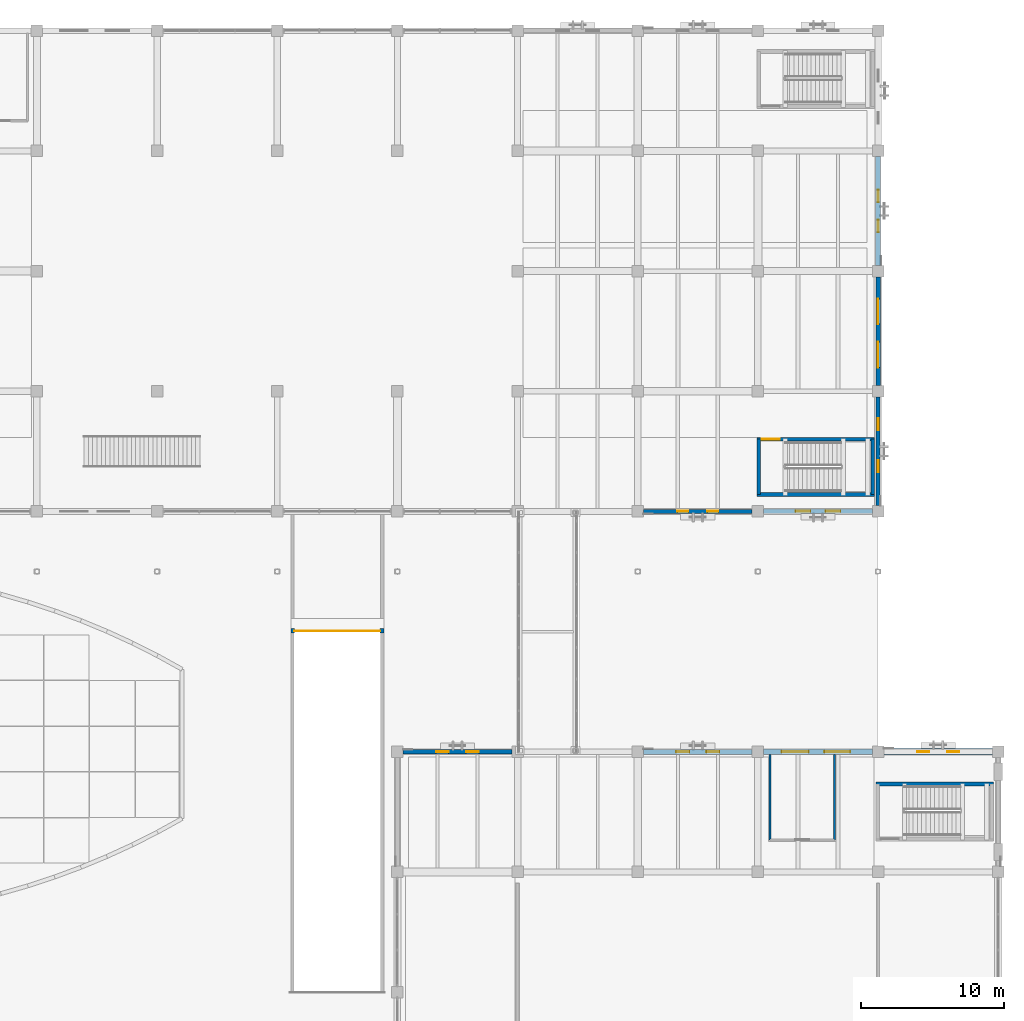
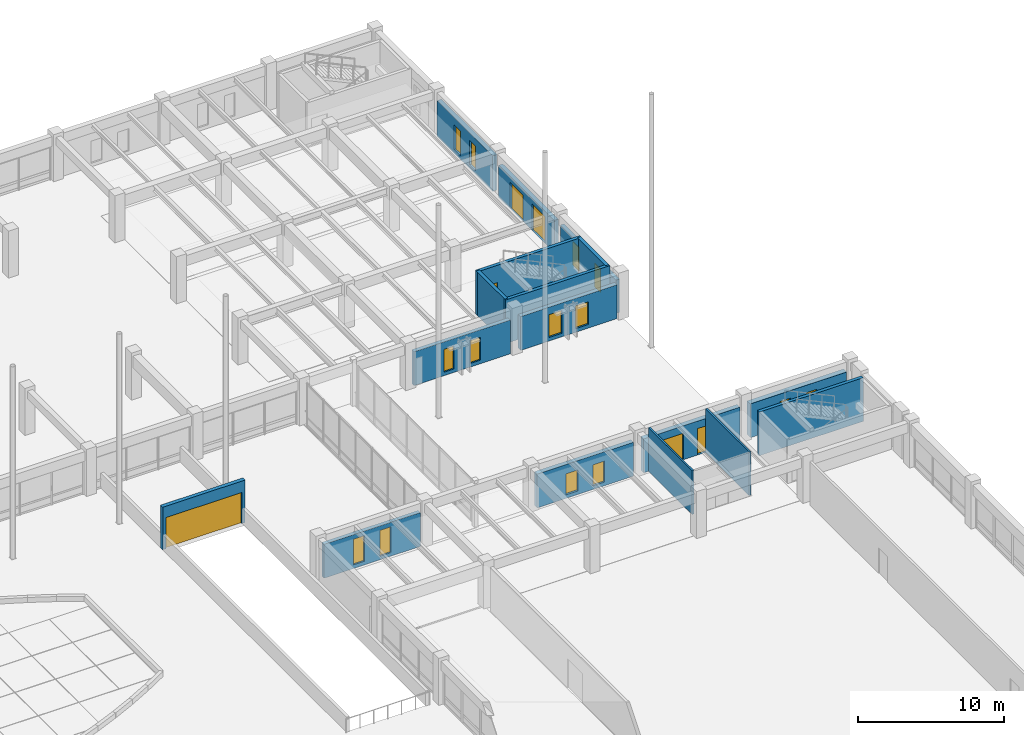
# One storey, part 98 of 135: 17 walls, 14 windows, 6 doors, 20 openings.
"""IFC4 building model written with IfcOpenShell, lengths in metres."""

from ifc_helpers import new_model, si_unit, direction, frame, frame_2d, origin, place, context, subcontext, project, spatial, rectangle, extrude, material, layer, layer_set, type_object, element, fill, save


model = new_model("IFC4")

# Units and contexts
model_context = context("Model", 3, precision=1e-05, world=origin(), true_north=direction((0.0, 1.0)))
body_context = subcontext(model_context, "Body", "Model", "MODEL_VIEW")
ifc_project = project(units=[si_unit("LENGTHUNIT", "METRE"), si_unit("AREAUNIT", "SQUARE_METRE"), si_unit("VOLUMEUNIT", "CUBIC_METRE"), si_unit("PLANEANGLEUNIT", "RADIAN"), si_unit("MASSUNIT", "GRAM", prefix="KILO")], contexts=[model_context])

# Site, building, storey
site_placement = place(None, origin())
site = spatial("IfcSite", under=ifc_project, at=site_placement, CompositionType="ELEMENT")
building_placement = place(site_placement, origin())
building = spatial("IfcBuilding", under=site, at=building_placement, Name="Cumbredor Promenade Congress Hotel", CompositionType="ELEMENT")
storey_placement = place(building_placement, origin())
storey = spatial("IfcBuildingStorey", under=building, at=storey_placement, Name="L00", CompositionType="ELEMENT", Elevation=0.0)

# Wall, openings, windows
ifc_material_1 = material(Name="Concrete C40/50", Category="concrete")
ifc_layer_1 = layer(ifc_material_1, 0.300048828125, Name="Concrete C40/50", Category="concrete")
ifc_layer_set_1 = layer_set([ifc_layer_1], Name="Concrete C40/50")
wall_type_1 = type_object("IfcWallType", Name="WL-EXT-300", PredefinedType="SOLIDWALL", material=ifc_layer_set_1)
wall_1_placement = place(storey_placement, frame((143.200927734375, 67.199951171875, 0.0), z_axis=(0.0, 0.0, 1.0), x_axis=(1.0, 0.0, 0.0)))
wall_1 = element("IfcWall", 1, at=wall_1_placement, inside=storey, type_object=wall_type_1, Name="L00 Grand Ballroom Pavilion North Envelope Wall 1", PredefinedType="SOLIDWALL", context=body_context, shape_type="SweptSolid", body=[
    extrude(rectangle(XDim=7.59814453125, YDim=0.300048828125, at=frame_2d((3.799072265625, 0.0))), origin(), (0.0, 0.0, 1.0), 2.824951171875),
])
opening_1_placement = place(wall_1_placement, frame((2.30908203125, 0.0, 0.300048828125)))
opening_1 = element("IfcOpeningElement", 2, at=opening_1_placement, cuts=wall_1, Name="Opening WN-59", PredefinedType="OPENING", context=body_context, shape_type="SweptSolid", body=[
    extrude(rectangle(XDim=0.8798828125, YDim=2.14990234375, at=frame_2d((0.43994140625, 1.074951171875))), frame((0.0, 0.16015625, 0.0), z_axis=(0.0, -1.0, 0.0), x_axis=(1.0, 0.0, 0.0)), (0.0, 0.0, 1.0), 0.320068359375),
])
opening_2_placement = place(wall_1_placement, frame((4.408935546875, 0.0, 0.300048828125)))
opening_2 = element("IfcOpeningElement", 3, at=opening_2_placement, cuts=wall_1, Name="Opening WN-59", PredefinedType="OPENING", context=body_context, shape_type="SweptSolid", body=[
    extrude(rectangle(XDim=0.8798828125, YDim=2.14990234375, at=frame_2d((0.43994140625, 1.074951171875))), frame((0.0, 0.16015625, 0.0), z_axis=(0.0, -1.0, 0.0), x_axis=(1.0, 0.0, 0.0)), (0.0, 0.0, 1.0), 0.320068359375),
])
ifc_material_2 = material(Name="Thermally broken anodized aluminium and low-E glass", Category="aluminium")
window_type_1 = type_object("IfcWindowType", Name="Vertical Slot Window WN-59 880x2150", PartitioningType="SINGLE_PANEL", PredefinedType="WINDOW", material=ifc_material_2)
window_1_placement = place(opening_1_placement, origin())
window_1 = element("IfcWindow", 4, at=window_1_placement, inside=storey, type_object=window_type_1, Name="L00 Vertical Slot Window 0015", OverallHeight=2.14990234375, OverallWidth=0.8798828125, PartitioningType="SINGLE_PANEL", PredefinedType="WINDOW", context=body_context, shape_type="SweptSolid", body=[
    extrude(rectangle(XDim=0.8798828125, YDim=2.14990234375, at=frame_2d((0.43994140625, 1.074951171875))), frame((0.0, 0.030029296875, 0.0), z_axis=(0.0, -1.0, 0.0), x_axis=(1.0, 0.0, 0.0)), (0.0, 0.0, 1.0), 0.06005859375),
])
fill(opening_1, window_1)
window_2_placement = place(opening_2_placement, origin())
window_2 = element("IfcWindow", 5, at=window_2_placement, inside=storey, type_object=window_type_1, Name="L00 Vertical Slot Window 0016", OverallHeight=2.14990234375, OverallWidth=0.8798828125, PartitioningType="SINGLE_PANEL", PredefinedType="WINDOW", context=body_context, shape_type="SweptSolid", body=[
    extrude(rectangle(XDim=0.8798828125, YDim=2.14990234375, at=frame_2d((0.43994140625, 1.074951171875))), frame((0.0, 0.030029296875, 0.0), z_axis=(0.0, -1.0, 0.0), x_axis=(1.0, 0.0, 0.0)), (0.0, 0.0, 1.0), 0.06005859375),
])
fill(opening_2, window_2)

wall_2_placement = place(storey_placement, frame((160.0009765625, 84.0, 0.0), z_axis=(0.0, 0.0, 1.0), x_axis=(1.0, 0.0, 0.0)))
wall_2 = element("IfcWall", 6, at=wall_2_placement, inside=storey, type_object=wall_type_1, Name="L00 Pre-Function and Breakout Meeting Forum South Envelope Wall 9", PredefinedType="SOLIDWALL", context=body_context, shape_type="SweptSolid", body=[
    extrude(rectangle(XDim=7.59814453125, YDim=0.300048828125, at=frame_2d((3.799072265625, 0.0))), origin(), (0.0, 0.0, 1.0), 2.824951171875),
])
opening_3_placement = place(wall_2_placement, frame((2.364013671875, 0.0, 0.300048828125)))
opening_3 = element("IfcOpeningElement", 7, at=opening_3_placement, cuts=wall_2, Name="Opening WN-66", PredefinedType="OPENING", context=body_context, shape_type="SweptSolid", body=[
    extrude(rectangle(XDim=0.77001953125, YDim=1.89990234375, at=frame_2d((0.385009765625, 0.949951171875))), frame((0.0, 0.16015625, 0.0), z_axis=(0.0, -1.0, 0.0), x_axis=(1.0, 0.0, 0.0)), (0.0, 0.0, 1.0), 0.320068359375),
])
opening_4_placement = place(wall_2_placement, frame((4.464111328125, 0.0, 0.300048828125)))
opening_4 = element("IfcOpeningElement", 8, at=opening_4_placement, cuts=wall_2, Name="Opening WN-66", PredefinedType="OPENING", context=body_context, shape_type="SweptSolid", body=[
    extrude(rectangle(XDim=0.77001953125, YDim=1.89990234375, at=frame_2d((0.385009765625, 0.949951171875))), frame((0.0, 0.16015625, 0.0), z_axis=(0.0, -1.0, 0.0), x_axis=(1.0, 0.0, 0.0)), (0.0, 0.0, 1.0), 0.320068359375),
])
window_type_2 = type_object("IfcWindowType", Name="Vertical Slot Window WN-66 770x1900", PartitioningType="SINGLE_PANEL", PredefinedType="WINDOW", material=ifc_material_2)
window_3_placement = place(opening_3_placement, origin())
window_3 = element("IfcWindow", 9, at=window_3_placement, inside=storey, type_object=window_type_2, Name="L00 Vertical Slot Window 0039", OverallHeight=1.89990234375, OverallWidth=0.77001953125, PartitioningType="SINGLE_PANEL", PredefinedType="WINDOW", context=body_context, shape_type="SweptSolid", body=[
    extrude(rectangle(XDim=0.77001953125, YDim=1.89990234375, at=frame_2d((0.385009765625, 0.949951171875))), frame((0.0, 0.030029296875, 0.0), z_axis=(0.0, -1.0, 0.0), x_axis=(1.0, 0.0, 0.0)), (0.0, 0.0, 1.0), 0.06005859375),
])
fill(opening_3, window_3)
window_4_placement = place(opening_4_placement, origin())
window_4 = element("IfcWindow", 10, at=window_4_placement, inside=storey, type_object=window_type_2, Name="L00 Vertical Slot Window 0040", OverallHeight=1.89990234375, OverallWidth=0.77001953125, PartitioningType="SINGLE_PANEL", PredefinedType="WINDOW", context=body_context, shape_type="SweptSolid", body=[
    extrude(rectangle(XDim=0.77001953125, YDim=1.89990234375, at=frame_2d((0.385009765625, 0.949951171875))), frame((0.0, 0.030029296875, 0.0), z_axis=(0.0, -1.0, 0.0), x_axis=(1.0, 0.0, 0.0)), (0.0, 0.0, 1.0), 0.06005859375),
])
fill(opening_4, window_4)

wall_3_placement = place(storey_placement, frame((176.39990234375, 84.40087890625, 0.0), z_axis=(0.0, 0.0, 1.0), x_axis=(0.0, 1.0, 0.0)))
wall_3 = element("IfcWall", 11, at=wall_3_placement, inside=storey, type_object=wall_type_1, Name="L00 Pre-Function and Breakout Meeting Forum East Envelope Wall 1", PredefinedType="SOLIDWALL", context=body_context, shape_type="SweptSolid", body=[
    extrude(rectangle(XDim=7.59814453125, YDim=0.300048828125, at=frame_2d((3.799072265625, 0.0))), origin(), (0.0, 0.0, 1.0), 2.77490234375),
])
opening_5_placement = place(wall_3_placement, frame((2.3291015625, 0.0, 0.300048828125)))
opening_5 = element("IfcOpeningElement", 12, at=opening_5_placement, cuts=wall_3, Name="Opening WN-51", PredefinedType="OPENING", context=body_context, shape_type="SweptSolid", body=[
    extrude(rectangle(XDim=0.840087890625, YDim=1.949951171875, at=frame_2d((0.419921875, 0.97509765625))), frame((0.0, 0.16015625, 0.0), z_axis=(0.0, -1.0, 0.0), x_axis=(1.0, 0.0, 0.0)), (0.0, 0.0, 1.0), 0.320068359375),
])
opening_6_placement = place(wall_3_placement, frame((5.279052734375, 0.0, 0.300048828125)))
opening_6 = element("IfcOpeningElement", 13, at=opening_6_placement, cuts=wall_3, Name="Opening WN-51", PredefinedType="OPENING", context=body_context, shape_type="SweptSolid", body=[
    extrude(rectangle(XDim=0.840087890625, YDim=1.949951171875, at=frame_2d((0.419921875, 0.97509765625))), frame((0.0, 0.16015625, 0.0), z_axis=(0.0, -1.0, 0.0), x_axis=(1.0, 0.0, 0.0)), (0.0, 0.0, 1.0), 0.320068359375),
])
window_type_3 = type_object("IfcWindowType", Name="Vertical Slot Window WN-51 840x1950", PartitioningType="SINGLE_PANEL", PredefinedType="WINDOW", material=ifc_material_2)
window_5_placement = place(opening_5_placement, origin())
window_5 = element("IfcWindow", 14, at=window_5_placement, inside=storey, type_object=window_type_3, Name="L00 Vertical Slot Window 0057", OverallHeight=1.949951171875, OverallWidth=0.840087890625, PartitioningType="SINGLE_PANEL", PredefinedType="WINDOW", context=body_context, shape_type="SweptSolid", body=[
    extrude(rectangle(XDim=0.840087890625, YDim=1.949951171875, at=frame_2d((0.419921875, 0.97509765625))), frame((0.0, 0.030029296875, 0.0), z_axis=(0.0, -1.0, 0.0), x_axis=(1.0, 0.0, 0.0)), (0.0, 0.0, 1.0), 0.06005859375),
])
fill(opening_5, window_5)
window_6_placement = place(opening_6_placement, origin())
window_6 = element("IfcWindow", 15, at=window_6_placement, inside=storey, type_object=window_type_3, Name="L00 Vertical Slot Window 0058", OverallHeight=1.949951171875, OverallWidth=0.840087890625, PartitioningType="SINGLE_PANEL", PredefinedType="WINDOW", context=body_context, shape_type="SweptSolid", body=[
    extrude(rectangle(XDim=0.840087890625, YDim=1.949951171875, at=frame_2d((0.419921875, 0.97509765625))), frame((0.0, 0.030029296875, 0.0), z_axis=(0.0, -1.0, 0.0), x_axis=(1.0, 0.0, 0.0)), (0.0, 0.0, 1.0), 0.06005859375),
])
fill(opening_6, window_6)

# Wall, opening, door
wall_4_placement = place(storey_placement, frame((135.35009765625, 75.64990234375, 0.0), z_axis=(0.0, 0.0, 1.0), x_axis=(1.0, 0.0, 0.0)))
wall_4 = element("IfcWall", 16, at=wall_4_placement, inside=storey, type_object=wall_type_1, Name="L00 Vehicle Ramp Portal Headwall", PredefinedType="SOLIDWALL", context=body_context, shape_type="SweptSolid", body=[
    extrude(rectangle(XDim=6.5, YDim=0.300048828125, at=frame_2d((3.25, 0.0))), origin(), (0.0, 0.0, 1.0), 3.550048828125),
])
opening_7_placement = place(wall_4_placement, frame((0.25, 0.0, 0.0)))
opening_7 = element("IfcOpeningElement", 17, at=opening_7_placement, cuts=wall_4, Name="Opening VG-01", PredefinedType="OPENING", context=body_context, shape_type="SweptSolid", body=[
    extrude(rectangle(XDim=6.0, YDim=2.60009765625, at=frame_2d((3.0, 1.300048828125))), frame((0.0, 0.16015625, 0.0), z_axis=(0.0, -1.0, 0.0), x_axis=(1.0, 0.0, 0.0)), (0.0, 0.0, 1.0), 0.320068359375),
])
ifc_material_3 = material(Name="Thermally broken anodized aluminium and laminated safety glass", Category="aluminium")
door_type_1 = type_object("IfcDoorType", Name="Top Portal Vehicle Gate VG-01 6000x2600", OperationType="ROLLINGUP", PredefinedType="GATE", material=ifc_material_3)
door_1_placement = place(opening_7_placement, origin())
door_1 = element("IfcDoor", 18, at=door_1_placement, inside=storey, type_object=door_type_1, Name="Top Portal Vehicle Gate VG-01", OperationType="ROLLINGUP", OverallHeight=2.60009765625, OverallWidth=6.0, PredefinedType="GATE", context=body_context, shape_type="SweptSolid", body=[
    extrude(rectangle(XDim=6.0, YDim=2.60009765625, at=frame_2d((3.0, 1.300048828125))), frame((0.0, 0.02490234375, 0.0), z_axis=(0.0, -1.0, 0.0), x_axis=(1.0, 0.0, 0.0)), (0.0, 0.0, 1.0), 0.050048828125),
])
fill(opening_7, door_1)

# Wall, openings, windows
ifc_layer_2 = layer(ifc_material_1, 0.324951171875, Name="Concrete C40/50", Category="concrete")
ifc_layer_set_2 = layer_set([ifc_layer_2], Name="Concrete C40/50")
wall_type_2 = type_object("IfcWallType", Name="WL-EXT-325", PredefinedType="SOLIDWALL", material=ifc_layer_set_2)
wall_5_placement = place(storey_placement, frame((168.40087890625, 84.0, 0.0), z_axis=(0.0, 0.0, 1.0), x_axis=(1.0, 0.0, 0.0)))
wall_5 = element("IfcWall", 19, at=wall_5_placement, inside=storey, type_object=wall_type_2, Name="L00 Pre-Function and Breakout Meeting Forum South Envelope Wall 10", PredefinedType="SOLIDWALL", context=body_context, shape_type="SweptSolid", body=[
    extrude(rectangle(XDim=7.59814453125, YDim=0.324951171875, at=frame_2d((3.799072265625, 0.0))), origin(), (0.0, 0.0, 1.0), 2.824951171875),
])
opening_8_placement = place(wall_5_placement, frame((2.239013671875, 0.0, 0.300048828125)))
opening_8 = element("IfcOpeningElement", 20, at=opening_8_placement, cuts=wall_5, Name="Opening WN-69", PredefinedType="OPENING", context=body_context, shape_type="SweptSolid", body=[
    extrude(rectangle(XDim=1.02001953125, YDim=1.89990234375, at=frame_2d((0.510009765625, 0.949951171875))), frame((0.0, 0.17236328125, 0.0), z_axis=(0.0, -1.0, 0.0), x_axis=(1.0, 0.0, 0.0)), (0.0, 0.0, 1.0), 0.344970703125),
])
opening_9_placement = place(wall_5_placement, frame((4.339111328125, 0.0, 0.300048828125)))
opening_9 = element("IfcOpeningElement", 21, at=opening_9_placement, cuts=wall_5, Name="Opening WN-69", PredefinedType="OPENING", context=body_context, shape_type="SweptSolid", body=[
    extrude(rectangle(XDim=1.02001953125, YDim=1.89990234375, at=frame_2d((0.510009765625, 0.949951171875))), frame((0.0, 0.17236328125, 0.0), z_axis=(0.0, -1.0, 0.0), x_axis=(1.0, 0.0, 0.0)), (0.0, 0.0, 1.0), 0.344970703125),
])
window_type_4 = type_object("IfcWindowType", Name="Vertical Slot Window WN-69 1020x1900", PartitioningType="SINGLE_PANEL", PredefinedType="WINDOW", material=ifc_material_2)
window_7_placement = place(opening_8_placement, origin())
window_7 = element("IfcWindow", 22, at=window_7_placement, inside=storey, type_object=window_type_4, Name="L00 Vertical Slot Window 0041", OverallHeight=1.89990234375, OverallWidth=1.02001953125, PartitioningType="SINGLE_PANEL", PredefinedType="WINDOW", context=body_context, shape_type="SweptSolid", body=[
    extrude(rectangle(XDim=1.02001953125, YDim=1.89990234375, at=frame_2d((0.510009765625, 0.949951171875))), frame((0.0, 0.030029296875, 0.0), z_axis=(0.0, -1.0, 0.0), x_axis=(1.0, 0.0, 0.0)), (0.0, 0.0, 1.0), 0.06005859375),
])
fill(opening_8, window_7)
window_8_placement = place(opening_9_placement, origin())
window_8 = element("IfcWindow", 23, at=window_8_placement, inside=storey, type_object=window_type_4, Name="L00 Vertical Slot Window 0042", OverallHeight=1.89990234375, OverallWidth=1.02001953125, PartitioningType="SINGLE_PANEL", PredefinedType="WINDOW", context=body_context, shape_type="SweptSolid", body=[
    extrude(rectangle(XDim=1.02001953125, YDim=1.89990234375, at=frame_2d((0.510009765625, 0.949951171875))), frame((0.0, 0.030029296875, 0.0), z_axis=(0.0, -1.0, 0.0), x_axis=(1.0, 0.0, 0.0)), (0.0, 0.0, 1.0), 0.06005859375),
])
fill(opening_9, window_8)

# Wall, openings, doors
wall_6_placement = place(storey_placement, frame((176.39990234375, 92.801025390625, 0.0), z_axis=(0.0, 0.0, 1.0), x_axis=(0.0, 1.0, 0.0)))
wall_6 = element("IfcWall", 24, at=wall_6_placement, inside=storey, type_object=wall_type_2, Name="L00 Pre-Function and Breakout Meeting Forum East Envelope Wall 2", PredefinedType="SOLIDWALL", context=body_context, shape_type="SweptSolid", body=[
    extrude(rectangle(XDim=7.597900390625, YDim=0.324951171875, at=frame_2d((3.798828125, 0.0))), origin(), (0.0, 0.0, 1.0), 2.675048828125),
])
opening_10_placement = place(wall_6_placement, frame((1.2490234375, 0.0, 0.0)))
opening_10 = element("IfcOpeningElement", 25, at=opening_10_placement, cuts=wall_6, Name="Opening EX-01", PredefinedType="OPENING", context=body_context, shape_type="SweptSolid", body=[
    extrude(rectangle(XDim=1.800048828125, YDim=2.199951171875, at=frame_2d((0.89990234375, 1.10009765625))), frame((0.0, 0.17236328125, 0.0), z_axis=(0.0, -1.0, 0.0), x_axis=(1.0, 0.0, 0.0)), (0.0, 0.0, 1.0), 0.344970703125),
])
opening_11_placement = place(wall_6_placement, frame((4.298095703125, 0.0, 0.0)))
opening_11 = element("IfcOpeningElement", 26, at=opening_11_placement, cuts=wall_6, Name="Opening EX-09", PredefinedType="OPENING", context=body_context, shape_type="SweptSolid", body=[
    extrude(rectangle(XDim=1.75, YDim=2.199951171875, at=frame_2d((0.875, 1.10009765625))), frame((0.0, 0.17236328125, 0.0), z_axis=(0.0, -1.0, 0.0), x_axis=(1.0, 0.0, 0.0)), (0.0, 0.0, 1.0), 0.344970703125),
])
door_type_2 = type_object("IfcDoorType", Name="EXT-DR-EXIT-1750x2200", OperationType="DOUBLE_DOOR_SINGLE_SWING", PredefinedType="DOOR", material=ifc_material_3)
door_2_placement = place(opening_11_placement, frame((1.75, 0.0, 0.0), z_axis=(0.0, 0.0, 1.0), x_axis=(-1.0, 0.0, 0.0)))
door_2 = element("IfcDoor", 27, at=door_2_placement, inside=storey, type_object=door_type_2, Name="L00 Pre-Function and Breakout Meeting Forum East Final Exit Door 24.2", OperationType="DOUBLE_DOOR_SINGLE_SWING", OverallHeight=2.199951171875, OverallWidth=1.75, PredefinedType="DOOR", context=body_context, shape_type="SweptSolid", body=[
    extrude(rectangle(XDim=1.75, YDim=2.199951171875, at=frame_2d((0.875, 1.10009765625))), frame((0.0, 0.02490234375, 0.0), z_axis=(0.0, -1.0, 0.0), x_axis=(1.0, 0.0, 0.0)), (0.0, 0.0, 1.0), 0.050048828125),
])
fill(opening_11, door_2)
door_type_3 = type_object("IfcDoorType", Name="EXT-DR-EXIT-1800x2200", OperationType="DOUBLE_DOOR_SINGLE_SWING", PredefinedType="DOOR", material=ifc_material_3)
door_3_placement = place(opening_10_placement, frame((1.800048828125, 0.0, 0.0), z_axis=(0.0, 0.0, 1.0), x_axis=(-1.0, 0.0, 0.0)))
door_3 = element("IfcDoor", 28, at=door_3_placement, inside=storey, type_object=door_type_3, Name="L00 Pre-Function and Breakout Meeting Forum East Final Exit Door 24.1", OperationType="DOUBLE_DOOR_SINGLE_SWING", OverallHeight=2.199951171875, OverallWidth=1.800048828125, PredefinedType="DOOR", context=body_context, shape_type="SweptSolid", body=[
    extrude(rectangle(XDim=1.800048828125, YDim=2.199951171875, at=frame_2d((0.89990234375, 1.10009765625))), frame((0.0, 0.02490234375, 0.0), z_axis=(0.0, -1.0, 0.0), x_axis=(1.0, 0.0, 0.0)), (0.0, 0.0, 1.0), 0.050048828125),
])
fill(opening_10, door_3)

# Wall, openings, windows
ifc_layer_3 = layer(ifc_material_1, 0.35009765625, Name="Concrete C40/50", Category="concrete")
ifc_layer_set_3 = layer_set([ifc_layer_3], Name="Concrete C40/50")
wall_type_3 = type_object("IfcWallType", Name="WL-EXT-350", PredefinedType="SOLIDWALL", material=ifc_layer_set_3)
wall_7_placement = place(storey_placement, frame((160.0009765625, 67.199951171875, 0.0), z_axis=(0.0, 0.0, 1.0), x_axis=(1.0, 0.0, 0.0)))
wall_7 = element("IfcWall", 29, at=wall_7_placement, inside=storey, type_object=wall_type_3, Name="L00 Grand Ballroom Pavilion North Envelope Wall 3", PredefinedType="SOLIDWALL", context=body_context, shape_type="SweptSolid", body=[
    extrude(rectangle(XDim=7.59814453125, YDim=0.35009765625, at=frame_2d((3.799072265625, 0.0))), origin(), (0.0, 0.0, 1.0), 2.824951171875),
])
opening_12_placement = place(wall_7_placement, frame((2.2890625, 0.0, 0.300048828125)))
opening_12 = element("IfcOpeningElement", 30, at=opening_12_placement, cuts=wall_7, Name="Opening WN-63", PredefinedType="OPENING", context=body_context, shape_type="SweptSolid", body=[
    extrude(rectangle(XDim=0.919921875, YDim=1.75, at=frame_2d((0.4599609375, 0.875))), frame((0.0, 0.18505859375, 0.0), z_axis=(0.0, -1.0, 0.0), x_axis=(1.0, 0.0, 0.0)), (0.0, 0.0, 1.0), 0.3701171875),
])
opening_13_placement = place(wall_7_placement, frame((4.388916015625, 0.0, 0.300048828125)))
opening_13 = element("IfcOpeningElement", 31, at=opening_13_placement, cuts=wall_7, Name="Opening WN-63", PredefinedType="OPENING", context=body_context, shape_type="SweptSolid", body=[
    extrude(rectangle(XDim=0.919921875, YDim=1.75, at=frame_2d((0.4599609375, 0.875))), frame((0.0, 0.18505859375, 0.0), z_axis=(0.0, -1.0, 0.0), x_axis=(1.0, 0.0, 0.0)), (0.0, 0.0, 1.0), 0.3701171875),
])
window_type_5 = type_object("IfcWindowType", Name="Vertical Slot Window WN-63 920x1750", PartitioningType="SINGLE_PANEL", PredefinedType="WINDOW", material=ifc_material_2)
window_9_placement = place(opening_12_placement, origin())
window_9 = element("IfcWindow", 32, at=window_9_placement, inside=storey, type_object=window_type_5, Name="L00 Vertical Slot Window 0017", OverallHeight=1.75, OverallWidth=0.919921875, PartitioningType="SINGLE_PANEL", PredefinedType="WINDOW", context=body_context, shape_type="SweptSolid", body=[
    extrude(rectangle(XDim=0.919921875, YDim=1.75, at=frame_2d((0.4599609375, 0.875))), frame((0.0, 0.030029296875, 0.0), z_axis=(0.0, -1.0, 0.0), x_axis=(1.0, 0.0, 0.0)), (0.0, 0.0, 1.0), 0.06005859375),
])
fill(opening_12, window_9)
window_10_placement = place(opening_13_placement, origin())
window_10 = element("IfcWindow", 33, at=window_10_placement, inside=storey, type_object=window_type_5, Name="L00 Vertical Slot Window 0018", OverallHeight=1.75, OverallWidth=0.919921875, PartitioningType="SINGLE_PANEL", PredefinedType="WINDOW", context=body_context, shape_type="SweptSolid", body=[
    extrude(rectangle(XDim=0.919921875, YDim=1.75, at=frame_2d((0.4599609375, 0.875))), frame((0.0, 0.030029296875, 0.0), z_axis=(0.0, -1.0, 0.0), x_axis=(1.0, 0.0, 0.0)), (0.0, 0.0, 1.0), 0.06005859375),
])
fill(opening_13, window_10)

wall_8_placement = place(storey_placement, frame((176.39990234375, 101.200927734375, 0.0), z_axis=(0.0, 0.0, 1.0), x_axis=(0.0, 1.0, 0.0)))
wall_8 = element("IfcWall", 34, at=wall_8_placement, inside=storey, type_object=wall_type_3, Name="L00 Pre-Function and Breakout Meeting Forum East Envelope Wall 3", PredefinedType="SOLIDWALL", context=body_context, shape_type="SweptSolid", body=[
    extrude(rectangle(XDim=7.59814453125, YDim=0.35009765625, at=frame_2d((3.799072265625, 0.0))), origin(), (0.0, 0.0, 1.0), 2.97509765625),
])
opening_14_placement = place(wall_8_placement, frame((2.319091796875, 0.0, 0.300048828125)))
opening_14 = element("IfcOpeningElement", 35, at=opening_14_placement, cuts=wall_8, Name="Opening WN-55", PredefinedType="OPENING", context=body_context, shape_type="SweptSolid", body=[
    extrude(rectangle(XDim=0.860107421875, YDim=2.050048828125, at=frame_2d((0.43017578125, 1.02490234375))), frame((0.0, 0.18505859375, 0.0), z_axis=(0.0, -1.0, 0.0), x_axis=(1.0, 0.0, 0.0)), (0.0, 0.0, 1.0), 0.3701171875),
])
opening_15_placement = place(wall_8_placement, frame((4.4189453125, 0.0, 0.300048828125)))
opening_15 = element("IfcOpeningElement", 36, at=opening_15_placement, cuts=wall_8, Name="Opening WN-55", PredefinedType="OPENING", context=body_context, shape_type="SweptSolid", body=[
    extrude(rectangle(XDim=0.860107421875, YDim=2.050048828125, at=frame_2d((0.43017578125, 1.02490234375))), frame((0.0, 0.18505859375, 0.0), z_axis=(0.0, -1.0, 0.0), x_axis=(1.0, 0.0, 0.0)), (0.0, 0.0, 1.0), 0.3701171875),
])
window_type_6 = type_object("IfcWindowType", Name="Vertical Slot Window WN-55 860x2050", PartitioningType="SINGLE_PANEL", PredefinedType="WINDOW", material=ifc_material_2)
window_11_placement = place(opening_14_placement, origin())
window_11 = element("IfcWindow", 37, at=window_11_placement, inside=storey, type_object=window_type_6, Name="L00 Vertical Slot Window 0059", OverallHeight=2.050048828125, OverallWidth=0.860107421875, PartitioningType="SINGLE_PANEL", PredefinedType="WINDOW", context=body_context, shape_type="SweptSolid", body=[
    extrude(rectangle(XDim=0.860107421875, YDim=2.050048828125, at=frame_2d((0.43017578125, 1.02490234375))), frame((0.0, 0.030029296875, 0.0), z_axis=(0.0, -1.0, 0.0), x_axis=(1.0, 0.0, 0.0)), (0.0, 0.0, 1.0), 0.06005859375),
])
fill(opening_14, window_11)
window_12_placement = place(opening_15_placement, origin())
window_12 = element("IfcWindow", 38, at=window_12_placement, inside=storey, type_object=window_type_6, Name="L00 Vertical Slot Window 0060", OverallHeight=2.050048828125, OverallWidth=0.860107421875, PartitioningType="SINGLE_PANEL", PredefinedType="WINDOW", context=body_context, shape_type="SweptSolid", body=[
    extrude(rectangle(XDim=0.860107421875, YDim=2.050048828125, at=frame_2d((0.43017578125, 1.02490234375))), frame((0.0, 0.030029296875, 0.0), z_axis=(0.0, -1.0, 0.0), x_axis=(1.0, 0.0, 0.0)), (0.0, 0.0, 1.0), 0.06005859375),
])
fill(opening_15, window_12)

# Wall, openings, doors
ifc_layer_4 = layer(ifc_material_1, 0.3798828125, Name="Concrete C40/50", Category="concrete")
ifc_layer_set_4 = layer_set([ifc_layer_4], Name="Concrete C40/50")
wall_type_4 = type_object("IfcWallType", Name="WL-EXT-380", PredefinedType="SOLIDWALL", material=ifc_layer_set_4)
wall_9_placement = place(storey_placement, frame((168.40087890625, 67.199951171875, 0.0), z_axis=(0.0, 0.0, 1.0), x_axis=(1.0, 0.0, 0.0)))
wall_9 = element("IfcWall", 39, at=wall_9_placement, inside=storey, type_object=wall_type_4, Name="L00 Grand Ballroom Pavilion North Envelope Wall 4", PredefinedType="SOLIDWALL", context=body_context, shape_type="SweptSolid", body=[
    extrude(rectangle(XDim=7.59814453125, YDim=0.3798828125, at=frame_2d((3.799072265625, 0.0))), origin(), (0.0, 0.0, 1.0), 2.824951171875),
])
opening_16_placement = place(wall_9_placement, frame((1.2490234375, 0.0, 0.0)))
opening_16 = element("IfcOpeningElement", 40, at=opening_16_placement, cuts=wall_9, Name="Opening EX-02", PredefinedType="OPENING", context=body_context, shape_type="SweptSolid", body=[
    extrude(rectangle(XDim=1.89990234375, YDim=2.199951171875, at=frame_2d((0.949951171875, 1.10009765625))), frame((0.0, 0.199951171875, 0.0), z_axis=(0.0, -1.0, 0.0), x_axis=(1.0, 0.0, 0.0)), (0.0, 0.0, 1.0), 0.39990234375),
])
opening_17_placement = place(wall_9_placement, frame((4.248046875, 0.0, 0.0)))
opening_17 = element("IfcOpeningElement", 41, at=opening_17_placement, cuts=wall_9, Name="Opening EX-01", PredefinedType="OPENING", context=body_context, shape_type="SweptSolid", body=[
    extrude(rectangle(XDim=1.800048828125, YDim=2.199951171875, at=frame_2d((0.89990234375, 1.10009765625))), frame((0.0, 0.199951171875, 0.0), z_axis=(0.0, -1.0, 0.0), x_axis=(1.0, 0.0, 0.0)), (0.0, 0.0, 1.0), 0.39990234375),
])
door_4_placement = place(opening_17_placement, origin())
door_4 = element("IfcDoor", 42, at=door_4_placement, inside=storey, type_object=door_type_3, Name="L00 Grand Ballroom Pavilion North Final Exit Door 09.2", OperationType="DOUBLE_DOOR_SINGLE_SWING", OverallHeight=2.199951171875, OverallWidth=1.800048828125, PredefinedType="DOOR", context=body_context, shape_type="SweptSolid", body=[
    extrude(rectangle(XDim=1.800048828125, YDim=2.199951171875, at=frame_2d((0.89990234375, 1.10009765625))), frame((0.0, 0.02490234375, 0.0), z_axis=(0.0, -1.0, 0.0), x_axis=(1.0, 0.0, 0.0)), (0.0, 0.0, 1.0), 0.050048828125),
])
fill(opening_17, door_4)
door_type_4 = type_object("IfcDoorType", Name="EXT-DR-EXIT-1900x2200", OperationType="DOUBLE_DOOR_SINGLE_SWING", PredefinedType="DOOR", material=ifc_material_3)
door_5_placement = place(opening_16_placement, origin())
door_5 = element("IfcDoor", 43, at=door_5_placement, inside=storey, type_object=door_type_4, Name="L00 Grand Ballroom Pavilion North Final Exit Door 09.1", OperationType="DOUBLE_DOOR_SINGLE_SWING", OverallHeight=2.199951171875, OverallWidth=1.89990234375, PredefinedType="DOOR", context=body_context, shape_type="SweptSolid", body=[
    extrude(rectangle(XDim=1.89990234375, YDim=2.199951171875, at=frame_2d((0.949951171875, 1.10009765625))), frame((0.0, 0.02490234375, 0.0), z_axis=(0.0, -1.0, 0.0), x_axis=(1.0, 0.0, 0.0)), (0.0, 0.0, 1.0), 0.050048828125),
])
fill(opening_16, door_5)

# Wall, openings, windows
ifc_layer_5 = layer(ifc_material_1, 0.425048828125, Name="Concrete C40/50", Category="concrete")
ifc_layer_set_5 = layer_set([ifc_layer_5], Name="Concrete C40/50")
wall_type_5 = type_object("IfcWallType", Name="WL-EXT-425", PredefinedType="SOLIDWALL", material=ifc_layer_set_5)
wall_10_placement = place(storey_placement, frame((176.801025390625, 67.199951171875, 0.0), z_axis=(0.0, 0.0, 1.0), x_axis=(1.0, 0.0, 0.0)))
wall_10 = element("IfcWall", 44, at=wall_10_placement, inside=storey, type_object=wall_type_5, Name="L00 Grand Ballroom Pavilion North Envelope Wall 5", PredefinedType="SOLIDWALL", context=body_context, shape_type="SweptSolid", body=[
    extrude(rectangle(XDim=7.597900390625, YDim=0.425048828125, at=frame_2d((3.798828125, 0.0))), origin(), (0.0, 0.0, 1.0), 2.824951171875),
])
opening_18_placement = place(wall_10_placement, frame((2.323974609375, 0.0, 0.300048828125)))
opening_18 = element("IfcOpeningElement", 45, at=opening_18_placement, cuts=wall_10, Name="Opening WN-67", PredefinedType="OPENING", context=body_context, shape_type="SweptSolid", body=[
    extrude(rectangle(XDim=0.85009765625, YDim=1.89990234375, at=frame_2d((0.425048828125, 0.949951171875))), frame((0.0, 0.22265625, 0.0), z_axis=(0.0, -1.0, 0.0), x_axis=(1.0, 0.0, 0.0)), (0.0, 0.0, 1.0), 0.445068359375),
])
opening_19_placement = place(wall_10_placement, frame((4.424072265625, 0.0, 0.300048828125)))
opening_19 = element("IfcOpeningElement", 46, at=opening_19_placement, cuts=wall_10, Name="Opening WN-67", PredefinedType="OPENING", context=body_context, shape_type="SweptSolid", body=[
    extrude(rectangle(XDim=0.85009765625, YDim=1.89990234375, at=frame_2d((0.425048828125, 0.949951171875))), frame((0.0, 0.22265625, 0.0), z_axis=(0.0, -1.0, 0.0), x_axis=(1.0, 0.0, 0.0)), (0.0, 0.0, 1.0), 0.445068359375),
])
window_type_7 = type_object("IfcWindowType", Name="Vertical Slot Window WN-67 850x1900", PartitioningType="SINGLE_PANEL", PredefinedType="WINDOW", material=ifc_material_2)
window_13_placement = place(opening_18_placement, origin())
window_13 = element("IfcWindow", 47, at=window_13_placement, inside=storey, type_object=window_type_7, Name="L00 Vertical Slot Window 0019", OverallHeight=1.89990234375, OverallWidth=0.85009765625, PartitioningType="SINGLE_PANEL", PredefinedType="WINDOW", context=body_context, shape_type="SweptSolid", body=[
    extrude(rectangle(XDim=0.85009765625, YDim=1.89990234375, at=frame_2d((0.425048828125, 0.949951171875))), frame((0.0, 0.030029296875, 0.0), z_axis=(0.0, -1.0, 0.0), x_axis=(1.0, 0.0, 0.0)), (0.0, 0.0, 1.0), 0.06005859375),
])
fill(opening_18, window_13)
window_14_placement = place(opening_19_placement, origin())
window_14 = element("IfcWindow", 48, at=window_14_placement, inside=storey, type_object=window_type_7, Name="L00 Vertical Slot Window 0020", OverallHeight=1.89990234375, OverallWidth=0.85009765625, PartitioningType="SINGLE_PANEL", PredefinedType="WINDOW", context=body_context, shape_type="SweptSolid", body=[
    extrude(rectangle(XDim=0.85009765625, YDim=1.89990234375, at=frame_2d((0.425048828125, 0.949951171875))), frame((0.0, 0.030029296875, 0.0), z_axis=(0.0, -1.0, 0.0), x_axis=(1.0, 0.0, 0.0)), (0.0, 0.0, 1.0), 0.06005859375),
])
fill(opening_19, window_14)

# Walls
ifc_material_4 = material(Name="Acoustic gypsum partition on steel studs", Category="steel")
ifc_layer_6 = layer(ifc_material_4, 0.139892578125, Name="Acoustic gypsum partition on steel studs", Category="steel")
ifc_layer_set_6 = layer_set([ifc_layer_6], Name="Acoustic gypsum partition on steel studs")
wall_type_6 = type_object("IfcWallType", Name="WL-PART-140", PredefinedType="PARTITIONING", material=ifc_layer_set_6)
for number, where, z_axis, x_axis, name in (
    (49, (168.85009765625, 61.050048828125, 0.0), (0.0, 0.0, 1.0), (0.0, 1.0, 0.0), "L00 Interior Partition W-L00-V2-WC-W"),
    (50, (173.35009765625, 61.050048828125, 0.0), (0.0, 0.0, 1.0), (0.0, 1.0, 0.0), "L00 Interior Partition W-L00-V2-WC-E"),
):
    element("IfcWall", number, at=place(storey_placement, frame(where, z_axis=z_axis, x_axis=x_axis)), inside=storey, type_object=wall_type_6, Name=name, PredefinedType="PARTITIONING", context=body_context, shape_type="SweptSolid", body=[
        extrude(rectangle(XDim=5.9599609375, YDim=0.139892578125, at=frame_2d((2.97998046875, 0.0))), origin(), (0.0, 0.0, 1.0), 3.639892578125),
    ])
ifc_layer_7 = layer(ifc_material_1, 0.2548828125, Name="Concrete C40/50", Category="concrete")
ifc_layer_set_7 = layer_set([ifc_layer_7], Name="Concrete C40/50")
wall_type_7 = type_object("IfcWallType", Name="WL-SHAFT-250", PredefinedType="SOLIDWALL", material=ifc_layer_set_7)
wall_11_placement = place(storey_placement, frame((176.25244140625, 64.949951171875, 0.0), z_axis=(0.0, 0.0, 1.0), x_axis=(1.0, 0.0, 0.0)))
element("IfcWall", 51, at=wall_11_placement, inside=storey, type_object=wall_type_7, Name="STAIR-ST-10-L00 Shaft Wall North", PredefinedType="SOLIDWALL", context=body_context, shape_type="SweptSolid", body=[
    extrude(rectangle(XDim=8.22509765625, YDim=0.2548828125, at=frame_2d((4.112548828125, 0.0))), origin(), (0.0, 0.0, 1.0), 3.639892578125),
])
wall_12_placement = place(storey_placement, frame((167.922607421875, 85.179931640625, 0.0), z_axis=(0.0, 0.0, 1.0), x_axis=(1.0, 0.0, 0.0)))
element("IfcWall", 52, at=wall_12_placement, inside=storey, type_object=wall_type_7, Name="STAIR-ST-14-L00 Shaft Wall South", PredefinedType="SOLIDWALL", context=body_context, shape_type="SweptSolid", body=[
    extrude(rectangle(XDim=8.224853515625, YDim=0.2548828125, at=frame_2d((4.1123046875, 0.0))), origin(), (0.0, 0.0, 1.0), 3.639892578125),
])

# Wall, opening, door
wall_13_placement = place(storey_placement, frame((167.922607421875, 89.050048828125, 0.0), z_axis=(0.0, 0.0, 1.0), x_axis=(1.0, 0.0, 0.0)))
wall_13 = element("IfcWall", 53, at=wall_13_placement, inside=storey, type_object=wall_type_7, Name="STAIR-ST-14-L00 Shaft Wall North", PredefinedType="SOLIDWALL", context=body_context, shape_type="SweptSolid", body=[
    extrude(rectangle(XDim=8.224853515625, YDim=0.2548828125, at=frame_2d((4.1123046875, 0.0))), origin(), (0.0, 0.0, 1.0), 3.639892578125),
])
opening_20_placement = place(wall_13_placement, frame((0.35009765625, 0.0, 0.0)))
opening_20 = element("IfcOpeningElement", 54, at=opening_20_placement, cuts=wall_13, Name="Opening SD-02", PredefinedType="OPENING", context=body_context, shape_type="SweptSolid", body=[
    extrude(rectangle(XDim=1.25, YDim=2.199951171875, at=frame_2d((0.625, 1.10009765625))), frame((0.0, 0.137451171875, 0.0), z_axis=(0.0, -1.0, 0.0), x_axis=(1.0, 0.0, 0.0)), (0.0, 0.0, 1.0), 0.27490234375),
])
ifc_material_5 = material(Name="Painted galvanized steel fire door", Category="steel")
door_type_5 = type_object("IfcDoorType", Name="DR-STAIR-FD90-1250", OperationType="NOTDEFINED", PredefinedType="DOOR", material=ifc_material_5)
door_6_placement = place(opening_20_placement, origin())
door_6 = element("IfcDoor", 55, at=door_6_placement, inside=storey, type_object=door_type_5, Name="L00 Protected Exit Stair ST-14 Door", OperationType="SINGLE_SWING_RIGHT", OverallHeight=2.199951171875, OverallWidth=1.25, PredefinedType="DOOR", context=body_context, shape_type="SweptSolid", body=[
    extrude(rectangle(XDim=1.25, YDim=2.199951171875, at=frame_2d((0.625, 1.10009765625))), frame((0.0, 0.02490234375, 0.0), z_axis=(0.0, -1.0, 0.0), x_axis=(1.0, 0.0, 0.0)), (0.0, 0.0, 1.0), 0.050048828125),
])
fill(opening_20, door_6)

# Walls
for number, where, z_axis, x_axis, name in (
    (56, (168.050048828125, 85.179931640625, 0.0), (0.0, 0.0, 1.0), (0.0, 1.0, 0.0), "STAIR-ST-14-L00 Shaft Wall West"),
    (57, (176.02001953125, 85.179931640625, 0.0), (0.0, 0.0, 1.0), (0.0, 1.0, 0.0), "STAIR-ST-14-L00 Shaft Wall East"),
):
    element("IfcWall", number, at=place(storey_placement, frame(where, z_axis=z_axis, x_axis=x_axis)), inside=storey, type_object=wall_type_7, Name=name, PredefinedType="SOLIDWALL", context=body_context, shape_type="SweptSolid", body=[
        extrude(rectangle(XDim=3.8701171875, YDim=0.2548828125, at=frame_2d((1.93505859375, 0.0))), origin(), (0.0, 0.0, 1.0), 3.639892578125),
    ])

save(model, "model.ifc")
